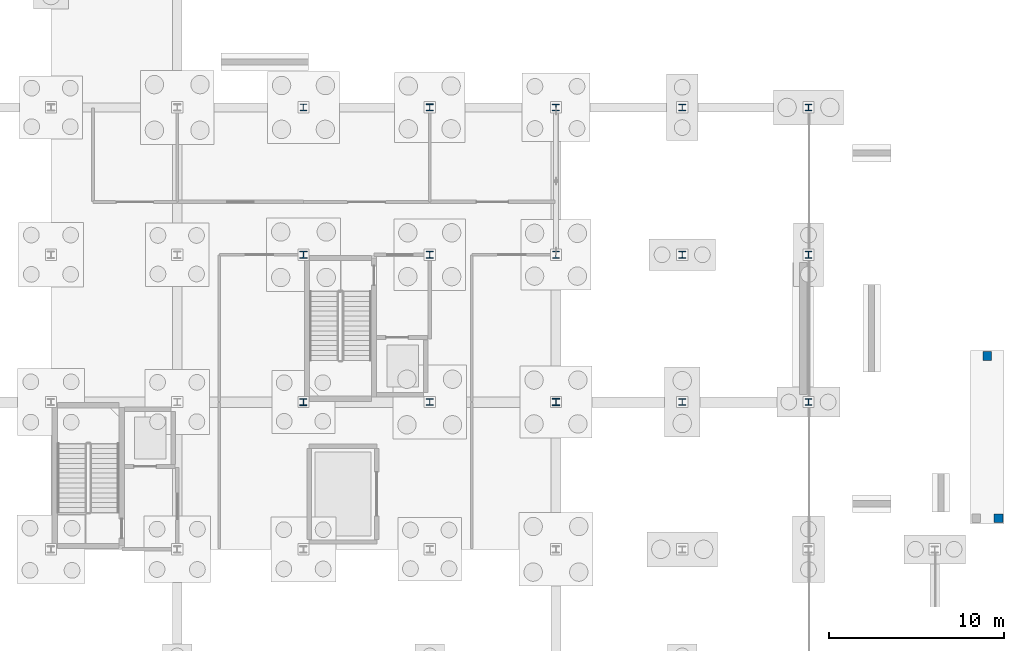
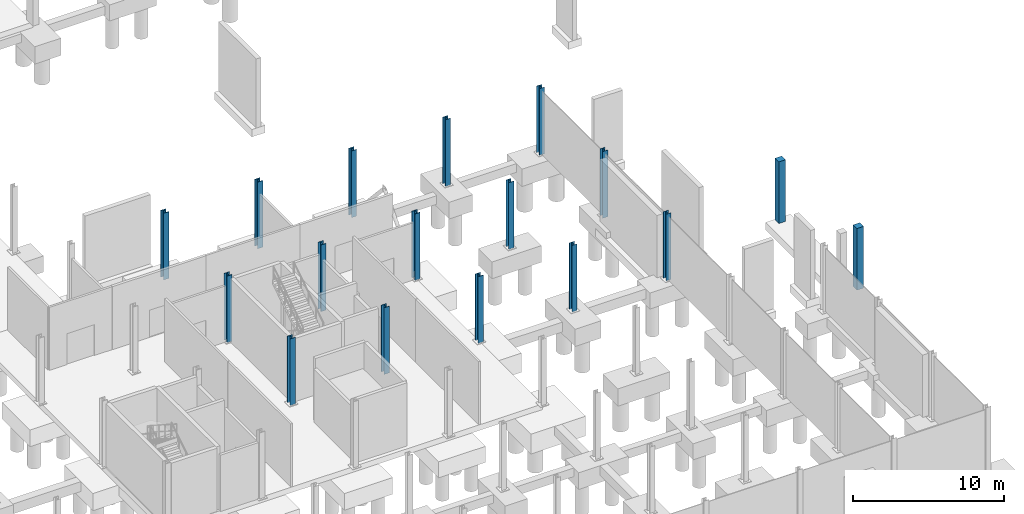
# One storey, part 31 of 61: 17 columns.
"""IFC4 building model written with IfcOpenShell, lengths in metres."""

from ifc_helpers import new_model, si_unit, direction, frame, origin, origin_2d, place, context, subcontext, project, spatial, rectangle, i_section, extrude, material, material_profile, profile_set, type_object, element, save


model = new_model("IFC4")

# Units and contexts
model_context = context("Model", 3, precision=1e-05, world=origin(), true_north=direction((0.0, 1.0)))
body_context = subcontext(model_context, "Body", "Model", "MODEL_VIEW")
ifc_project = project(units=[si_unit("LENGTHUNIT", "METRE"), si_unit("AREAUNIT", "SQUARE_METRE"), si_unit("VOLUMEUNIT", "CUBIC_METRE"), si_unit("PLANEANGLEUNIT", "RADIAN"), si_unit("MASSUNIT", "GRAM", prefix="KILO")], contexts=[model_context])

# Site, building, storey
site_placement = place(None, origin())
site = spatial("IfcSite", under=ifc_project, at=site_placement, CompositionType="ELEMENT")
building_placement = place(site_placement, origin())
building = spatial("IfcBuilding", under=site, at=building_placement, Name="Calvrana Isthmian Art Gallery", CompositionType="ELEMENT")
storey_placement = place(building_placement, frame((0.0, 0.0, -5.39990234375)))
storey = spatial("IfcBuildingStorey", under=building, at=storey_placement, Name="B1", CompositionType="ELEMENT", Elevation=-5.39990234375)

# Columns
ifc_material_1 = material(Name="Concrete C40/50", Category="concrete")
ifc_material_profile_1 = material_profile(ifc_material_1, rectangle(XDim=0.5, YDim=0.5, at=origin_2d()), Name="RC500X500")
ifc_profile_set_1 = profile_set([ifc_material_profile_1], Name="Concrete C40/50")
column_type_1 = type_object("IfcColumnType", Name="COL-RC-RC500X500", PredefinedType="COLUMN", material=ifc_profile_set_1)
for number, where, z_axis, x_axis, name in (
    (1, (166.830078125, 23.3701171875, -0.4501953125), (0.0, 0.0, 1.0), (1.0, 0.0, 0.0), "Apron pedestal SLB_APR_EAST_BENCH_S-B"),
    (2, (166.199951171875, 32.6298828125, -0.4501953125), (0.0, 0.0, 1.0), (1.0, 0.0, 0.0), "Apron pedestal SLB_APR_EAST_BENCH_S-C"),
):
    element("IfcColumn", number, at=place(storey_placement, frame(where, z_axis=z_axis, x_axis=x_axis)), inside=storey, type_object=column_type_1, Name=name, PredefinedType="COLUMN", context=body_context, shape_type="SweptSolid", body=[
        extrude(rectangle(XDim=0.5, YDim=0.5, at=origin_2d()), origin(), (0.0, 0.0, 1.0), 5.0),
    ])
ifc_material_2 = material(Name="Steel ASTM A992 Gr 50", Category="steel")
ifc_material_profile_2 = material_profile(ifc_material_2, i_section(OverallWidth=0.373046875, OverallDepth=0.373046875, WebThickness=0.016357421875, FlangeThickness=0.026123046875, FilletRadius=0.02490234375, at=origin_2d()), Name="W14X132")
ifc_profile_set_2 = profile_set([ifc_material_profile_2], Name="Steel ASTM A992 Gr 50")
column_type_2 = type_object("IfcColumnType", Name="COL-STL-W14X132", PredefinedType="COLUMN", material=ifc_profile_set_2)
column_1_placement = place(storey_placement, frame((156.0, 30.0, 0.0), z_axis=(0.0, 0.0, 1.0), x_axis=(1.0, 0.0, 0.0)))
element("IfcColumn", 3, at=column_1_placement, inside=storey, type_object=column_type_2, Name="Column 21/E B1", PredefinedType="COLUMN", context=body_context, shape_type="SweptSolid", body=[
    extrude(i_section(OverallWidth=0.373046875, OverallDepth=0.373046875, WebThickness=0.016357421875, FlangeThickness=0.026123046875, FilletRadius=0.02490234375, at=origin_2d()), origin(), (0.0, 0.0, 1.0), 5.39990234375),
])
ifc_material_profile_3 = material_profile(ifc_material_2, i_section(OverallWidth=0.39404296875, OverallDepth=0.3759765625, WebThickness=0.017333984375, FlangeThickness=0.027587890625, FilletRadius=0.02490234375, at=origin_2d()), Name="W14X145")
ifc_profile_set_3 = profile_set([ifc_material_profile_3], Name="Steel ASTM A992 Gr 50")
column_type_3 = type_object("IfcColumnType", Name="COL-STL-W14X145", PredefinedType="COLUMN", material=ifc_profile_set_3)
for number, where, z_axis, x_axis, name in (
    (4, (148.800048828125, 30.0, 0.0), (0.0, 0.0, 1.0), (1.0, 0.0, 0.0), "Column 20/E B1"),
    (5, (156.0, 38.39990234375, 0.0), (0.0, 0.0, 1.0), (1.0, 0.0, 0.0), "Column 21/F B1"),
):
    element("IfcColumn", number, at=place(storey_placement, frame(where, z_axis=z_axis, x_axis=x_axis)), inside=storey, type_object=column_type_3, Name=name, PredefinedType="COLUMN", context=body_context, shape_type="SweptSolid", body=[
        extrude(i_section(OverallWidth=0.39404296875, OverallDepth=0.3759765625, WebThickness=0.017333984375, FlangeThickness=0.027587890625, FilletRadius=0.02490234375, at=origin_2d()), origin(), (0.0, 0.0, 1.0), 5.39990234375),
    ])
ifc_material_profile_4 = material_profile(ifc_material_2, i_section(OverallWidth=0.39599609375, OverallDepth=0.381103515625, WebThickness=0.018798828125, FlangeThickness=0.0302734375, FilletRadius=0.02490234375, at=origin_2d()), Name="W14X159")
ifc_profile_set_4 = profile_set([ifc_material_profile_4], Name="Steel ASTM A992 Gr 50")
column_type_4 = type_object("IfcColumnType", Name="COL-STL-W14X159", PredefinedType="COLUMN", material=ifc_profile_set_4)
for number, where, z_axis, x_axis, name in (
    (6, (148.800048828125, 38.39990234375, 0.0), (0.0, 0.0, 1.0), (1.0, 0.0, 0.0), "Column 20/F B1"),
    (7, (156.0, 46.800048828125, 0.0), (0.0, 0.0, 1.0), (1.0, 0.0, 0.0), "Column 21/G B1"),
):
    element("IfcColumn", number, at=place(storey_placement, frame(where, z_axis=z_axis, x_axis=x_axis)), inside=storey, type_object=column_type_4, Name=name, PredefinedType="COLUMN", context=body_context, shape_type="SweptSolid", body=[
        extrude(i_section(OverallWidth=0.39599609375, OverallDepth=0.381103515625, WebThickness=0.018798828125, FlangeThickness=0.0302734375, FilletRadius=0.02490234375, at=origin_2d()), origin(), (0.0, 0.0, 1.0), 5.39990234375),
    ])
ifc_material_profile_5 = material_profile(ifc_material_2, i_section(OverallWidth=0.39892578125, OverallDepth=0.385986328125, WebThickness=0.02099609375, FlangeThickness=0.033203125, FilletRadius=0.02490234375, at=origin_2d()), Name="W14X176")
ifc_profile_set_5 = profile_set([ifc_material_profile_5], Name="Steel ASTM A992 Gr 50")
column_type_5 = type_object("IfcColumnType", Name="COL-STL-W14X176", PredefinedType="COLUMN", material=ifc_profile_set_5)
for number, where, z_axis, x_axis, name in (
    (8, (134.39990234375, 30.0, 0.0), (0.0, 0.0, 1.0), (1.0, 0.0, 0.0), "Column 18/E B1"),
    (9, (141.60009765625, 46.800048828125, 0.0), (0.0, 0.0, 1.0), (1.0, 0.0, 0.0), "Column 19/G B1"),
    (10, (148.800048828125, 46.800048828125, 0.0), (0.0, 0.0, 1.0), (1.0, 0.0, 0.0), "Column 20/G B1"),
):
    element("IfcColumn", number, at=place(storey_placement, frame(where, z_axis=z_axis, x_axis=x_axis)), inside=storey, type_object=column_type_5, Name=name, PredefinedType="COLUMN", context=body_context, shape_type="SweptSolid", body=[
        extrude(i_section(OverallWidth=0.39892578125, OverallDepth=0.385986328125, WebThickness=0.02099609375, FlangeThickness=0.033203125, FilletRadius=0.02490234375, at=origin_2d()), origin(), (0.0, 0.0, 1.0), 5.39990234375),
    ])
ifc_material_profile_6 = material_profile(ifc_material_2, i_section(OverallWidth=0.39892578125, OverallDepth=0.39404296875, WebThickness=0.022705078125, FlangeThickness=0.03662109375, FilletRadius=0.02490234375, at=origin_2d()), Name="W14X193")
ifc_profile_set_6 = profile_set([ifc_material_profile_6], Name="Steel ASTM A992 Gr 50")
column_type_6 = type_object("IfcColumnType", Name="COL-STL-W14X193", PredefinedType="COLUMN", material=ifc_profile_set_6)
column_2_placement = place(storey_placement, frame((134.39990234375, 38.39990234375, 0.0), z_axis=(0.0, 0.0, 1.0), x_axis=(1.0, 0.0, 0.0)))
element("IfcColumn", 11, at=column_2_placement, inside=storey, type_object=column_type_6, Name="Column 18/F B1", PredefinedType="COLUMN", context=body_context, shape_type="SweptSolid", body=[
    extrude(i_section(OverallWidth=0.39892578125, OverallDepth=0.39404296875, WebThickness=0.022705078125, FlangeThickness=0.03662109375, FilletRadius=0.02490234375, at=origin_2d()), origin(), (0.0, 0.0, 1.0), 5.39990234375),
])
ifc_material_profile_7 = material_profile(ifc_material_2, i_section(OverallWidth=0.40087890625, OverallDepth=0.39892578125, WebThickness=0.02490234375, FlangeThickness=0.03955078125, FilletRadius=0.02490234375, at=origin_2d()), Name="W14X211")
ifc_profile_set_7 = profile_set([ifc_material_profile_7], Name="Steel ASTM A992 Gr 50")
column_type_7 = type_object("IfcColumnType", Name="COL-STL-W14X211", PredefinedType="COLUMN", material=ifc_profile_set_7)
for number, where, z_axis, x_axis, name in (
    (12, (127.199951171875, 30.0, 0.0), (0.0, 0.0, 1.0), (1.0, 0.0, 0.0), "Column 17/E B1"),
    (13, (134.39990234375, 46.800048828125, 0.0), (0.0, 0.0, 1.0), (1.0, 0.0, 0.0), "Column 18/G B1"),
):
    element("IfcColumn", number, at=place(storey_placement, frame(where, z_axis=z_axis, x_axis=x_axis)), inside=storey, type_object=column_type_7, Name=name, PredefinedType="COLUMN", context=body_context, shape_type="SweptSolid", body=[
        extrude(i_section(OverallWidth=0.40087890625, OverallDepth=0.39892578125, WebThickness=0.02490234375, FlangeThickness=0.03955078125, FilletRadius=0.02490234375, at=origin_2d()), origin(), (0.0, 0.0, 1.0), 5.39990234375),
    ])
ifc_material_profile_8 = material_profile(ifc_material_2, i_section(OverallWidth=0.404052734375, OverallDepth=0.406005859375, WebThickness=0.027099609375, FlangeThickness=0.043701171875, FilletRadius=0.02490234375, at=origin_2d()), Name="W14X233")
ifc_profile_set_8 = profile_set([ifc_material_profile_8], Name="Steel ASTM A992 Gr 50")
column_type_8 = type_object("IfcColumnType", Name="COL-STL-W14X233", PredefinedType="COLUMN", material=ifc_profile_set_8)
for number, where, z_axis, x_axis, name in (
    (14, (127.199951171875, 38.39990234375, 0.0), (0.0, 0.0, 1.0), (1.0, 0.0, 0.0), "Column 17/F B1"),
    (15, (141.60009765625, 30.0, 0.0), (0.0, 0.0, 1.0), (1.0, 0.0, 0.0), "Column 19/E B1"),
):
    element("IfcColumn", number, at=place(storey_placement, frame(where, z_axis=z_axis, x_axis=x_axis)), inside=storey, type_object=column_type_8, Name=name, PredefinedType="COLUMN", context=body_context, shape_type="SweptSolid", body=[
        extrude(i_section(OverallWidth=0.404052734375, OverallDepth=0.406005859375, WebThickness=0.027099609375, FlangeThickness=0.043701171875, FilletRadius=0.02490234375, at=origin_2d()), origin(), (0.0, 0.0, 1.0), 5.39990234375),
    ])
ifc_material_profile_9 = material_profile(ifc_material_2, i_section(OverallWidth=0.406005859375, OverallDepth=0.4169921875, WebThickness=0.02978515625, FlangeThickness=0.048095703125, FilletRadius=0.02490234375, at=origin_2d()), Name="W14X257")
ifc_profile_set_9 = profile_set([ifc_material_profile_9], Name="Steel ASTM A992 Gr 50")
column_type_9 = type_object("IfcColumnType", Name="COL-STL-W14X257", PredefinedType="COLUMN", material=ifc_profile_set_9)
for number, where, z_axis, x_axis, name in (
    (16, (127.199951171875, 46.800048828125, 0.0), (0.0, 0.0, 1.0), (1.0, 0.0, 0.0), "Column 17/G B1"),
    (17, (141.60009765625, 38.39990234375, 0.0), (0.0, 0.0, 1.0), (1.0, 0.0, 0.0), "Column 19/F B1"),
):
    element("IfcColumn", number, at=place(storey_placement, frame(where, z_axis=z_axis, x_axis=x_axis)), inside=storey, type_object=column_type_9, Name=name, PredefinedType="COLUMN", context=body_context, shape_type="SweptSolid", body=[
        extrude(i_section(OverallWidth=0.406005859375, OverallDepth=0.4169921875, WebThickness=0.02978515625, FlangeThickness=0.048095703125, FilletRadius=0.02490234375, at=origin_2d()), origin(), (0.0, 0.0, 1.0), 5.39990234375),
    ])

save(model, "model.ifc")
